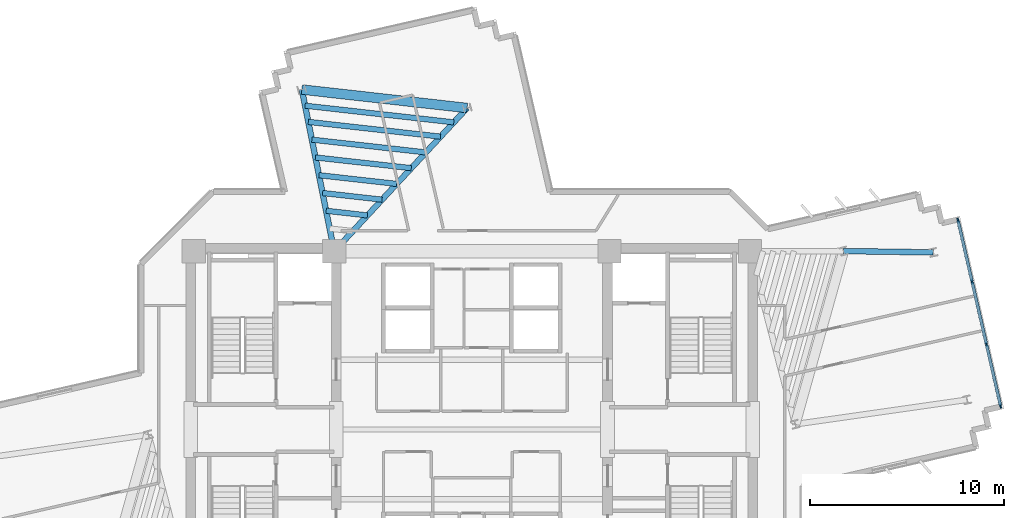
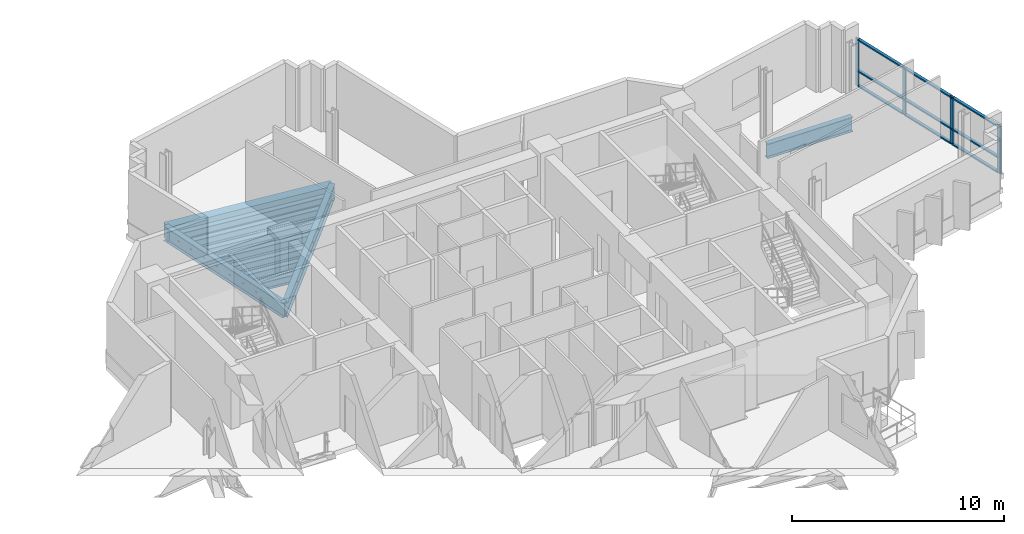
# One storey, part 4 of 13: 13 members, 11 beams, 1 element without a shape of its own.
"""IFC4 building model written with IfcOpenShell, lengths in metres."""

from ifc_helpers import new_model, si_unit, direction, frame, origin, origin_2d, place, context, subcontext, project, spatial, rectangle, i_section, extrude, source, transform, mapped, material, layer, layer_set, material_profile, profile_set, type_object, element, aggregate, save


model = new_model("IFC4")

# Units and contexts
model_context = context("Model", 3, precision=1e-05, world=origin(), true_north=direction((0.0, 1.0)))
body_context = subcontext(model_context, "Body", "Model", "MODEL_VIEW")
ifc_project = project(units=[si_unit("LENGTHUNIT", "METRE"), si_unit("AREAUNIT", "SQUARE_METRE"), si_unit("VOLUMEUNIT", "CUBIC_METRE"), si_unit("PLANEANGLEUNIT", "RADIAN"), si_unit("MASSUNIT", "GRAM", prefix="KILO")], contexts=[model_context])

# Site, building, storey
site_placement = place(None, origin())
site = spatial("IfcSite", under=ifc_project, at=site_placement, CompositionType="ELEMENT")
building_placement = place(site_placement, origin())
building = spatial("IfcBuilding", under=site, at=building_placement, Name="Zahravan Cultural Tower", CompositionType="ELEMENT")
storey_placement = place(building_placement, frame((0.0, 0.0, 178.5)))
storey = spatial("IfcBuildingStorey", under=building, at=storey_placement, Name="L41", CompositionType="ELEMENT", Elevation=178.5)

# Beams
ifc_material_1 = material(Name="Concrete C50/60", Category="concrete")
ifc_material_profile_1 = material_profile(ifc_material_1, rectangle(XDim=0.5, YDim=0.85009765625, at=origin_2d()), Name="RC500X850")
ifc_profile_set_1 = profile_set([ifc_material_profile_1], Name="Concrete C50/60")
beam_type_1 = type_object("IfcBeamType", Name="BM-SP-RC500X850", PredefinedType="SPANDREL", material=ifc_profile_set_1)
shared_shape_1 = source(origin(), body_context, "Body", "SweptSolid", [
    extrude(rectangle(XDim=0.5, YDim=0.85009765625, at=origin_2d()), origin(), (0.0, 0.0, 1.0), 8.579833984375),
])
beam_1_placement = place(storey_placement, frame((35.754638671875, 43.587646484375, -0.705078125), z_axis=(-0.9938040105, 0.11114669907, 0.0), x_axis=(-0.11114669907, -0.9938040105, 0.0)))
element("IfcBeam", 1, at=beam_1_placement, inside=storey, type_object=beam_type_1, Name="L41 Beam SP-L41-22", PredefinedType="SPANDREL", context=body_context, shape_type="MappedRepresentation", body=[
    mapped(shared_shape_1, transform((0.0, 0.0, 0.0), x_axis=(1.0, 0.0, 0.0), y_axis=(0.0, 1.0, 0.0), z_axis=(0.0, 0.0, 1.0), scale=1.0)),
])
ifc_material_2 = material(Name="Steel ASTM A992 Grade 50", Category="steel")
ifc_material_profile_2 = material_profile(ifc_material_2, i_section(OverallWidth=0.29296875, OverallDepth=0.845947265625, WebThickness=0.015380859375, FlangeThickness=0.0244140625, FilletRadius=0.02001953125, at=origin_2d()), Name="W33X141")
ifc_profile_set_2 = profile_set([ifc_material_profile_2], Name="Steel ASTM A992 Grade 50")
beam_type_2 = type_object("IfcBeamType", Name="BM-G-W33X141", PredefinedType="BEAM", material=ifc_profile_set_2)
shared_shape_2 = source(origin(), body_context, "Body", "SweptSolid", [
    extrude(i_section(OverallWidth=0.29296875, OverallDepth=0.845947265625, WebThickness=0.015380859375, FlangeThickness=0.0244140625, FilletRadius=0.02001953125, at=origin_2d()), origin(), (0.0, 0.0, 1.0), 10.077880859375),
])
beam_2_placement = place(storey_placement, frame((28.89990234375, 36.199951171875, -0.702880859375), z_axis=(0.680170435587, 0.733054007938, 0.0), x_axis=(-0.733054007938, 0.680170435587, 0.0)))
element("IfcBeam", 2, at=beam_2_placement, inside=storey, type_object=beam_type_2, Name="L41 Beam BG-L41-13", PredefinedType="BEAM", context=body_context, shape_type="MappedRepresentation", body=[
    mapped(shared_shape_2, transform((0.0, 0.0, 0.0), x_axis=(1.0, 0.0, 0.0), y_axis=(0.0, 1.0, 0.0), z_axis=(0.0, 0.0, 1.0), scale=1.0)),
])
shared_shape_3 = source(origin(), body_context, "Body", "SweptSolid", [
    extrude(i_section(OverallWidth=0.29296875, OverallDepth=0.845947265625, WebThickness=0.015380859375, FlangeThickness=0.0244140625, FilletRadius=0.02001953125, at=origin_2d()), origin(), (0.0, 0.0, 1.0), 8.50732421875),
])
beam_3_placement = place(storey_placement, frame((28.89990234375, 36.199951171875, -0.702880859375), z_axis=(-0.196524514012, 0.980498911469, 0.0), x_axis=(-0.980498911469, -0.196524514012, 0.0)))
element("IfcBeam", 3, at=beam_3_placement, inside=storey, type_object=beam_type_2, Name="L41 Beam BG-L41-14", PredefinedType="BEAM", context=body_context, shape_type="MappedRepresentation", body=[
    mapped(shared_shape_3, transform((0.0, 0.0, 0.0), x_axis=(1.0, 0.0, 0.0), y_axis=(0.0, 1.0, 0.0), z_axis=(0.0, 0.0, 1.0), scale=1.0)),
])
shared_shape_4 = source(origin(), body_context, "Body", "SweptSolid", [
    extrude(i_section(OverallWidth=0.29296875, OverallDepth=0.845947265625, WebThickness=0.015380859375, FlangeThickness=0.0244140625, FilletRadius=0.02001953125, at=origin_2d()), origin(), (0.0, 0.0, 1.0), 4.622314453125),
])
beam_4_placement = place(storey_placement, frame((55.184814453125, 36.2060546875, -0.702880859375), z_axis=(0.999889070044, -0.014894549562, 0.0), x_axis=(0.014894549562, 0.999889070044, 0.0)))
element("IfcBeam", 4, at=beam_4_placement, inside=storey, type_object=beam_type_2, Name="L41 Beam BG-L41-16", PredefinedType="BEAM", context=body_context, shape_type="MappedRepresentation", body=[
    mapped(shared_shape_4, transform((0.0, 0.0, 0.0), x_axis=(1.0, 0.0, 0.0), y_axis=(0.0, 1.0, 0.0), z_axis=(0.0, 0.0, 1.0), scale=1.0)),
])
ifc_material_profile_3 = material_profile(ifc_material_2, i_section(OverallWidth=0.280029296875, OverallDepth=0.462890625, WebThickness=0.0107421875, FlangeThickness=0.017333984375, FilletRadius=0.012939453125, at=origin_2d()), Name="W18X76")
ifc_profile_set_3 = profile_set([ifc_material_profile_3], Name="Steel ASTM A992 Grade 50")
beam_type_3 = type_object("IfcBeamType", Name="BM-J-W18X76", PredefinedType="JOIST", material=ifc_profile_set_3)
shared_shape_5 = source(origin(), body_context, "Body", "SweptSolid", [
    extrude(i_section(OverallWidth=0.280029296875, OverallDepth=0.462890625, WebThickness=0.0107421875, FlangeThickness=0.017333984375, FilletRadius=0.012939453125, at=origin_2d()), origin(), (0.0, 0.0, 1.0), 2.144775390625),
])
beam_5_placement = place(storey_placement, frame((30.613525390625, 38.046875, -0.511474609375), z_axis=(-0.993797370806, 0.111206051, 0.0), x_axis=(-0.111206051, -0.993797370806, 0.0)))
element("IfcBeam", 5, at=beam_5_placement, inside=storey, type_object=beam_type_3, Name="L41 Beam BJ-L41-51", PredefinedType="JOIST", context=body_context, shape_type="MappedRepresentation", body=[
    mapped(shared_shape_5, transform((0.0, 0.0, 0.0), x_axis=(1.0, 0.0, 0.0), y_axis=(0.0, 1.0, 0.0), z_axis=(0.0, 0.0, 1.0), scale=1.0)),
])
shared_shape_6 = source(origin(), body_context, "Body", "SweptSolid", [
    extrude(i_section(OverallWidth=0.280029296875, OverallDepth=0.462890625, WebThickness=0.0107421875, FlangeThickness=0.017333984375, FilletRadius=0.012939453125, at=origin_2d()), origin(), (0.0, 0.0, 1.0), 3.088623046875),
])
beam_6_placement = place(storey_placement, frame((31.36767578125, 38.859619140625, -0.511474609375), z_axis=(-0.993805407368, 0.111134208443, 0.0), x_axis=(-0.111134208443, -0.993805407368, 0.0)))
element("IfcBeam", 6, at=beam_6_placement, inside=storey, type_object=beam_type_3, Name="L41 Beam BJ-L41-52", PredefinedType="JOIST", context=body_context, shape_type="MappedRepresentation", body=[
    mapped(shared_shape_6, transform((0.0, 0.0, 0.0), x_axis=(1.0, 0.0, 0.0), y_axis=(0.0, 1.0, 0.0), z_axis=(0.0, 0.0, 1.0), scale=1.0)),
])
shared_shape_7 = source(origin(), body_context, "Body", "SweptSolid", [
    extrude(i_section(OverallWidth=0.280029296875, OverallDepth=0.462890625, WebThickness=0.0107421875, FlangeThickness=0.017333984375, FilletRadius=0.012939453125, at=origin_2d()), origin(), (0.0, 0.0, 1.0), 4.0322265625),
])
beam_7_placement = place(storey_placement, frame((32.12158203125, 39.672119140625, -0.511474609375), z_axis=(-0.993802245601, 0.11116247855, 0.0), x_axis=(-0.11116247855, -0.993802245601, 0.0)))
element("IfcBeam", 7, at=beam_7_placement, inside=storey, type_object=beam_type_3, Name="L41 Beam BJ-L41-53", PredefinedType="JOIST", context=body_context, shape_type="MappedRepresentation", body=[
    mapped(shared_shape_7, transform((0.0, 0.0, 0.0), x_axis=(1.0, 0.0, 0.0), y_axis=(0.0, 1.0, 0.0), z_axis=(0.0, 0.0, 1.0), scale=1.0)),
])
shared_shape_8 = source(origin(), body_context, "Body", "SweptSolid", [
    extrude(i_section(OverallWidth=0.280029296875, OverallDepth=0.462890625, WebThickness=0.0107421875, FlangeThickness=0.017333984375, FilletRadius=0.012939453125, at=origin_2d()), origin(), (0.0, 0.0, 1.0), 4.97607421875),
])
beam_8_placement = place(storey_placement, frame((32.875732421875, 40.48486328125, -0.511474609375), z_axis=(-0.993806308517, 0.111126149723, 0.0), x_axis=(-0.111126149723, -0.993806308517, 0.0)))
element("IfcBeam", 8, at=beam_8_placement, inside=storey, type_object=beam_type_3, Name="L41 Beam BJ-L41-54", PredefinedType="JOIST", context=body_context, shape_type="MappedRepresentation", body=[
    mapped(shared_shape_8, transform((0.0, 0.0, 0.0), x_axis=(1.0, 0.0, 0.0), y_axis=(0.0, 1.0, 0.0), z_axis=(0.0, 0.0, 1.0), scale=1.0)),
])
shared_shape_9 = source(origin(), body_context, "Body", "SweptSolid", [
    extrude(i_section(OverallWidth=0.280029296875, OverallDepth=0.462890625, WebThickness=0.0107421875, FlangeThickness=0.017333984375, FilletRadius=0.012939453125, at=origin_2d()), origin(), (0.0, 0.0, 1.0), 5.919921875),
])
beam_9_placement = place(storey_placement, frame((33.629638671875, 41.29736328125, -0.511474609375), z_axis=(-0.993804520866, 0.111142135602, 0.0), x_axis=(-0.111142135602, -0.993804520866, 0.0)))
element("IfcBeam", 9, at=beam_9_placement, inside=storey, type_object=beam_type_3, Name="L41 Beam BJ-L41-55", PredefinedType="JOIST", context=body_context, shape_type="MappedRepresentation", body=[
    mapped(shared_shape_9, transform((0.0, 0.0, 0.0), x_axis=(1.0, 0.0, 0.0), y_axis=(0.0, 1.0, 0.0), z_axis=(0.0, 0.0, 1.0), scale=1.0)),
])
shared_shape_10 = source(origin(), body_context, "Body", "SweptSolid", [
    extrude(i_section(OverallWidth=0.280029296875, OverallDepth=0.462890625, WebThickness=0.0107421875, FlangeThickness=0.017333984375, FilletRadius=0.012939453125, at=origin_2d()), origin(), (0.0, 0.0, 1.0), 6.86376953125),
])
beam_10_placement = place(storey_placement, frame((34.3837890625, 42.110107421875, -0.511474609375), z_axis=(-0.993803224695, 0.111153725024, 0.0), x_axis=(-0.111153725024, -0.993803224695, 0.0)))
element("IfcBeam", 10, at=beam_10_placement, inside=storey, type_object=beam_type_3, Name="L41 Beam BJ-L41-56", PredefinedType="JOIST", context=body_context, shape_type="MappedRepresentation", body=[
    mapped(shared_shape_10, transform((0.0, 0.0, 0.0), x_axis=(1.0, 0.0, 0.0), y_axis=(0.0, 1.0, 0.0), z_axis=(0.0, 0.0, 1.0), scale=1.0)),
])
shared_shape_11 = source(origin(), body_context, "Body", "SweptSolid", [
    extrude(i_section(OverallWidth=0.280029296875, OverallDepth=0.462890625, WebThickness=0.0107421875, FlangeThickness=0.017333984375, FilletRadius=0.012939453125, at=origin_2d()), origin(), (0.0, 0.0, 1.0), 7.7216796875),
])
beam_11_placement = place(storey_placement, frame((35.069091796875, 42.848876953125, -0.511474609375), z_axis=(-0.993805212115, 0.11113595446, 0.0), x_axis=(-0.11113595446, -0.993805212115, 0.0)))
element("IfcBeam", 11, at=beam_11_placement, inside=storey, type_object=beam_type_3, Name="L41 Beam BJ-L41-57", PredefinedType="JOIST", context=body_context, shape_type="MappedRepresentation", body=[
    mapped(shared_shape_11, transform((0.0, 0.0, 0.0), x_axis=(1.0, 0.0, 0.0), y_axis=(0.0, 1.0, 0.0), z_axis=(0.0, 0.0, 1.0), scale=1.0)),
])

# Curtain wall, members
ifc_material_3 = material(Name="Anodised bronze-aluminium mullion", Category="aluminium")
ifc_layer = layer(ifc_material_3, 0.219970703125)
ifc_layer_set = layer_set([ifc_layer], Name="Anodised bronze-aluminium mullion")
curtain_wall_type = type_object("IfcCurtainWallType", Name="CW-SYS-1", PredefinedType="USERDEFINED", material=ifc_layer_set)
curtain_wall_placement = place(storey_placement, origin())
curtain_wall = element("IfcCurtainWall", 12, at=curtain_wall_placement, inside=storey, type_object=curtain_wall_type, Name="L41 Recessed Curtain Wall CW-1.1", ObjectType="RECESSED GLAZING", PredefinedType="USERDEFINED")
ifc_material_profile_4 = material_profile(ifc_material_3, rectangle(XDim=0.159912109375, YDim=0.080078125, at=origin_2d()), Name="AL-T80X160")
ifc_profile_set_4 = profile_set([ifc_material_profile_4], Name="Anodised bronze-aluminium mullion")
member_type_1 = type_object("IfcMemberType", Name="CWT-CW-1", PredefinedType="USERDEFINED", material=ifc_profile_set_4)
shared_shape_12 = source(origin(), body_context, "Body", "SweptSolid", [
    extrude(rectangle(XDim=0.159912109375, YDim=0.080078125, at=origin_2d()), origin(), (0.0, 0.0, 1.0), 3.226806640625),
])
member_1_placement = place(storey_placement, frame((61.819091796875, 34.578125, 0.0400390625), z_axis=(0.223654705473, -0.974668442456, 0.0), x_axis=(0.974668442456, 0.223654705473, 0.0)))
member_1 = element("IfcMember", 13, at=member_1_placement, type_object=member_type_1, Name="CW-1 transom 2.1", ObjectType="TRANSOM", PredefinedType="USERDEFINED", context=body_context, shape_type="MappedRepresentation", body=[
    mapped(shared_shape_12, transform((0.0, 0.0, 0.0), x_axis=(1.0, 0.0, 0.0), y_axis=(0.0, 1.0, 0.0), z_axis=(0.0, 0.0, 1.0), scale=1.0)),
])
member_2_placement = place(storey_placement, frame((61.819091796875, 34.578125, 0.89990234375), z_axis=(0.223654705473, -0.974668442456, 0.0), x_axis=(0.974668442456, 0.223654705473, 0.0)))
member_2 = element("IfcMember", 14, at=member_2_placement, type_object=member_type_1, Name="CW-1 transom 2.2", ObjectType="TRANSOM", PredefinedType="USERDEFINED", context=body_context, shape_type="MappedRepresentation", body=[
    mapped(shared_shape_12, transform((0.0, 0.0, 0.0), x_axis=(1.0, 0.0, 0.0), y_axis=(0.0, 1.0, 0.0), z_axis=(0.0, 0.0, 1.0), scale=1.0)),
])
member_3_placement = place(storey_placement, frame((61.819091796875, 34.578125, 2.699951171875), z_axis=(0.223654705473, -0.974668442456, 0.0), x_axis=(0.974668442456, 0.223654705473, 0.0)))
member_3 = element("IfcMember", 15, at=member_3_placement, type_object=member_type_1, Name="CW-1 transom 2.3", ObjectType="TRANSOM", PredefinedType="USERDEFINED", context=body_context, shape_type="MappedRepresentation", body=[
    mapped(shared_shape_12, transform((0.0, 0.0, 0.0), x_axis=(1.0, 0.0, 0.0), y_axis=(0.0, 1.0, 0.0), z_axis=(0.0, 0.0, 1.0), scale=1.0)),
])
shared_shape_13 = source(origin(), body_context, "Body", "SweptSolid", [
    extrude(rectangle(XDim=0.159912109375, YDim=0.080078125, at=origin_2d()), origin(), (0.0, 0.0, 1.0), 3.1865234375),
])
member_4_placement = place(storey_placement, frame((61.0888671875, 37.761962890625, 0.0400390625), z_axis=(0.22356116452, -0.974689902337, 0.0), x_axis=(0.974689902337, 0.22356116452, 0.0)))
member_4 = element("IfcMember", 16, at=member_4_placement, type_object=member_type_1, Name="CW-1 transom 1.1", ObjectType="TRANSOM", PredefinedType="USERDEFINED", context=body_context, shape_type="MappedRepresentation", body=[
    mapped(shared_shape_13, transform((0.0, 0.0, 0.0), x_axis=(1.0, 0.0, 0.0), y_axis=(0.0, 1.0, 0.0), z_axis=(0.0, 0.0, 1.0), scale=1.0)),
])
member_5_placement = place(storey_placement, frame((61.0888671875, 37.761962890625, 0.89990234375), z_axis=(0.22356116452, -0.974689902337, 0.0), x_axis=(0.974689902337, 0.22356116452, 0.0)))
member_5 = element("IfcMember", 17, at=member_5_placement, type_object=member_type_1, Name="CW-1 transom 1.2", ObjectType="TRANSOM", PredefinedType="USERDEFINED", context=body_context, shape_type="MappedRepresentation", body=[
    mapped(shared_shape_13, transform((0.0, 0.0, 0.0), x_axis=(1.0, 0.0, 0.0), y_axis=(0.0, 1.0, 0.0), z_axis=(0.0, 0.0, 1.0), scale=1.0)),
])
member_6_placement = place(storey_placement, frame((61.0888671875, 37.761962890625, 2.699951171875), z_axis=(0.22356116452, -0.974689902337, 0.0), x_axis=(0.974689902337, 0.22356116452, 0.0)))
member_6 = element("IfcMember", 18, at=member_6_placement, type_object=member_type_1, Name="CW-1 transom 1.3", ObjectType="TRANSOM", PredefinedType="USERDEFINED", context=body_context, shape_type="MappedRepresentation", body=[
    mapped(shared_shape_13, transform((0.0, 0.0, 0.0), x_axis=(1.0, 0.0, 0.0), y_axis=(0.0, 1.0, 0.0), z_axis=(0.0, 0.0, 1.0), scale=1.0)),
])
member_7_placement = place(storey_placement, frame((62.55859375, 31.355224609375, 0.0400390625), z_axis=(0.22356116452, -0.974689902337, 0.0), x_axis=(0.974689902337, 0.22356116452, 0.0)))
member_7 = element("IfcMember", 19, at=member_7_placement, type_object=member_type_1, Name="CW-1 transom 3.1", ObjectType="TRANSOM", PredefinedType="USERDEFINED", context=body_context, shape_type="MappedRepresentation", body=[
    mapped(shared_shape_13, transform((0.0, 0.0, 0.0), x_axis=(1.0, 0.0, 0.0), y_axis=(0.0, 1.0, 0.0), z_axis=(0.0, 0.0, 1.0), scale=1.0)),
])
member_8_placement = place(storey_placement, frame((62.55859375, 31.355224609375, 0.89990234375), z_axis=(0.22356116452, -0.974689902337, 0.0), x_axis=(0.974689902337, 0.22356116452, 0.0)))
member_8 = element("IfcMember", 20, at=member_8_placement, type_object=member_type_1, Name="CW-1 transom 3.2", ObjectType="TRANSOM", PredefinedType="USERDEFINED", context=body_context, shape_type="MappedRepresentation", body=[
    mapped(shared_shape_13, transform((0.0, 0.0, 0.0), x_axis=(1.0, 0.0, 0.0), y_axis=(0.0, 1.0, 0.0), z_axis=(0.0, 0.0, 1.0), scale=1.0)),
])
member_9_placement = place(storey_placement, frame((62.55859375, 31.355224609375, 2.699951171875), z_axis=(0.22356116452, -0.974689902337, 0.0), x_axis=(0.974689902337, 0.22356116452, 0.0)))
member_9 = element("IfcMember", 21, at=member_9_placement, type_object=member_type_1, Name="CW-1 transom 3.3", ObjectType="TRANSOM", PredefinedType="USERDEFINED", context=body_context, shape_type="MappedRepresentation", body=[
    mapped(shared_shape_13, transform((0.0, 0.0, 0.0), x_axis=(1.0, 0.0, 0.0), y_axis=(0.0, 1.0, 0.0), z_axis=(0.0, 0.0, 1.0), scale=1.0)),
])
ifc_material_profile_5 = material_profile(ifc_material_3, rectangle(XDim=0.080078125, YDim=0.219970703125, at=origin_2d()), Name="AL-M80X220")
ifc_profile_set_5 = profile_set([ifc_material_profile_5], Name="Anodised bronze-aluminium mullion")
member_type_2 = type_object("IfcMemberType", Name="CWM-CW-1", PredefinedType="MULLION", material=ifc_profile_set_5)
shared_shape_14 = source(origin(), body_context, "Body", "SweptSolid", [
    extrude(rectangle(XDim=0.080078125, YDim=0.219970703125, at=origin_2d()), origin(), (0.0, 0.0, 1.0), 2.739990234375),
])
member_10_placement = place(storey_placement, frame((61.079833984375, 37.801025390625, 0.0), z_axis=(0.0, 0.0, 1.0), x_axis=(0.974681078884, 0.223599629842, 0.0)))
member_10 = element("IfcMember", 22, at=member_10_placement, type_object=member_type_2, Name="CW-1 mullion 1", PredefinedType="MULLION", context=body_context, shape_type="MappedRepresentation", body=[
    mapped(shared_shape_14, transform((0.0, 0.0, 0.0), x_axis=(1.0, 0.0, 0.0), y_axis=(0.0, 1.0, 0.0), z_axis=(0.0, 0.0, 1.0), scale=1.0)),
])
member_11_placement = place(storey_placement, frame((61.810302734375, 34.6171875, 0.0), z_axis=(0.0, 0.0, 1.0), x_axis=(0.974681078884, 0.223599629842, 0.0)))
member_11 = element("IfcMember", 23, at=member_11_placement, type_object=member_type_2, Name="CW-1 mullion 2", PredefinedType="MULLION", context=body_context, shape_type="MappedRepresentation", body=[
    mapped(shared_shape_14, transform((0.0, 0.0, 0.0), x_axis=(1.0, 0.0, 0.0), y_axis=(0.0, 1.0, 0.0), z_axis=(0.0, 0.0, 1.0), scale=1.0)),
])
member_12_placement = place(storey_placement, frame((62.549560546875, 31.39404296875, 0.0), z_axis=(0.0, 0.0, 1.0), x_axis=(0.974681078884, 0.223599629842, 0.0)))
member_12 = element("IfcMember", 24, at=member_12_placement, type_object=member_type_2, Name="CW-1 mullion 3", PredefinedType="MULLION", context=body_context, shape_type="MappedRepresentation", body=[
    mapped(shared_shape_14, transform((0.0, 0.0, 0.0), x_axis=(1.0, 0.0, 0.0), y_axis=(0.0, 1.0, 0.0), z_axis=(0.0, 0.0, 1.0), scale=1.0)),
])
member_13_placement = place(storey_placement, frame((63.280029296875, 28.210205078125, 0.0), z_axis=(0.0, 0.0, 1.0), x_axis=(0.974681078884, 0.223599629842, 0.0)))
member_13 = element("IfcMember", 25, at=member_13_placement, type_object=member_type_2, Name="CW-1 mullion 4", PredefinedType="MULLION", context=body_context, shape_type="MappedRepresentation", body=[
    mapped(shared_shape_14, transform((0.0, 0.0, 0.0), x_axis=(1.0, 0.0, 0.0), y_axis=(0.0, 1.0, 0.0), z_axis=(0.0, 0.0, 1.0), scale=1.0)),
])
aggregate(curtain_wall, [member_10, member_11, member_12, member_13, member_4, member_5, member_6, member_1, member_2, member_3, member_7, member_8, member_9])

save(model, "model.ifc")
